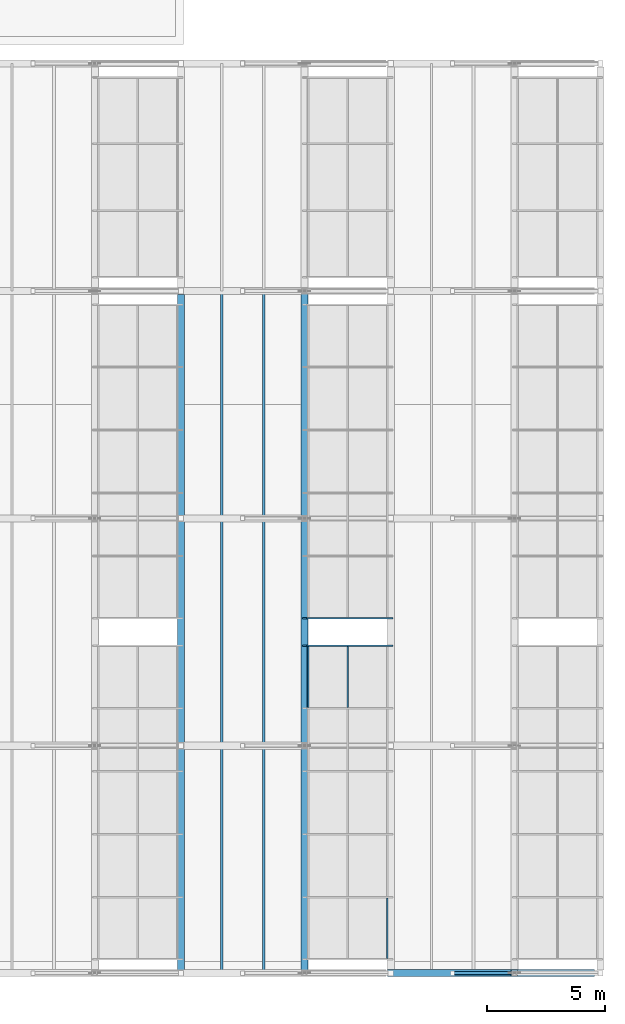
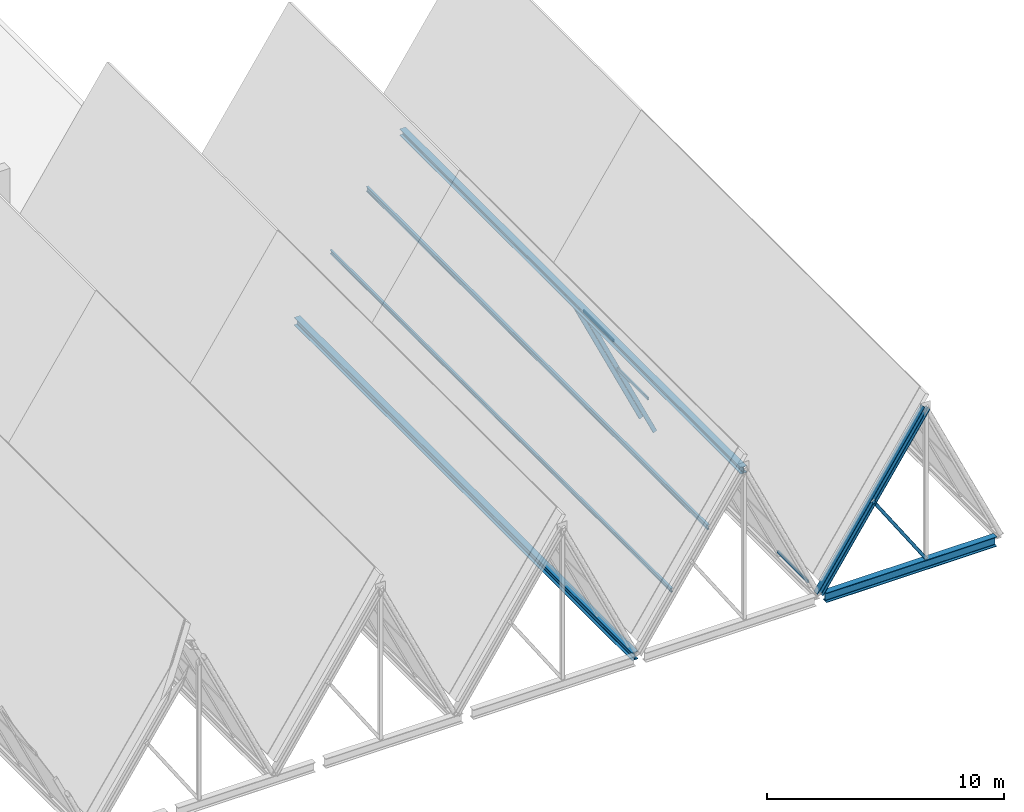
# One storey, part 53 of 99: 9 members, 3 beams, 2 elements without a shape of their own.
"""IFC4 building model written with IfcOpenShell, lengths in metres."""

from ifc_helpers import new_model, si_unit, direction, frame, origin, origin_2d, place, context, subcontext, project, spatial, hollow_rectangle, i_section, extrude, material, material_profile, profile_set, type_object, element, aggregate, save


model = new_model("IFC4")

# Units and contexts
model_context = context("Model", 3, precision=1e-05, world=origin(), true_north=direction((0.0, 1.0)))
body_context = subcontext(model_context, "Body", "Model", "MODEL_VIEW")
ifc_project = project(units=[si_unit("LENGTHUNIT", "METRE"), si_unit("AREAUNIT", "SQUARE_METRE"), si_unit("VOLUMEUNIT", "CUBIC_METRE"), si_unit("PLANEANGLEUNIT", "RADIAN"), si_unit("MASSUNIT", "GRAM", prefix="KILO")], contexts=[model_context])

# Site, building, storey
site_placement = place(None, origin())
site = spatial("IfcSite", under=ifc_project, at=site_placement, CompositionType="ELEMENT")
building_placement = place(site_placement, origin())
building = spatial("IfcBuilding", under=site, at=building_placement, Name="Bramveld Media Centre", CompositionType="ELEMENT")
storey_placement = place(building_placement, frame((0.0, 0.0, 13.800048828125)))
storey = spatial("IfcBuildingStorey", under=building, at=storey_placement, Name="L03", CompositionType="ELEMENT", Elevation=13.800048828125)

# Curtain wall, member
ifc_material_1 = material(Name="Thermally broken anodized bronze aluminium unitized curtain wall with solar-control triple glazing", Category="aluminium")
curtain_wall_type = type_object("IfcCurtainWallType", Name="CW-SAW-13300x8606", PredefinedType="NOTDEFINED", material=ifc_material_1)
curtain_wall_1_placement = place(storey_placement, origin())
curtain_wall_1 = element("IfcCurtainWall", 1, at=curtain_wall_1_placement, inside=storey, type_object=curtain_wall_type, Name="V1 sawtooth north-light clerestory B6-S1", PredefinedType="NOTDEFINED")
ifc_material_2 = material(Name="Thermally broken anodized bronze aluminium EN AW-6063 T6 curtain-wall framing", Category="aluminium")
ifc_material_profile_1 = material_profile(ifc_material_2, hollow_rectangle(XDim=0.070068359375, YDim=0.199951171875, WallThickness=0.00439453125, InnerFilletRadius=0.00439453125, OuterFilletRadius=0.009033203125, at=origin_2d()), Name="AL-MULL 70x200")
ifc_profile_set_1 = profile_set([ifc_material_profile_1], Name="Thermally broken anodized bronze aluminium EN AW-6063 T6 curtain-wall framing")
member_type_1 = type_object("IfcMemberType", Name="CW-MULL-SLP", PredefinedType="MULLION", material=ifc_profile_set_1)
member_1_placement = place(storey_placement, frame((177.142822265625, 13.81494140625, -0.02001953125), z_axis=(-0.423956992265, 0.0, 0.90568232218), x_axis=(0.0, -1.0, 0.0)))
member_1 = element("IfcMember", 2, at=member_1_placement, type_object=member_type_1, Name="CW-SA-13386 sloped mullion 6", PredefinedType="MULLION", context=body_context, shape_type="SweptSolid", body=[
    extrude(hollow_rectangle(XDim=0.070068359375, YDim=0.199951171875, WallThickness=0.00439453125, InnerFilletRadius=0.00439453125, OuterFilletRadius=0.009033203125, at=origin_2d()), origin(), (0.0, 0.0, 1.0), 8.5791015625),
])

curtain_wall_2_placement = place(storey_placement, origin())
curtain_wall_2 = element("IfcCurtainWall", 3, at=curtain_wall_2_placement, inside=storey, type_object=curtain_wall_type, Name="V1 sawtooth north-light clerestory B6-S2", PredefinedType="NOTDEFINED")
member_2_placement = place(storey_placement, frame((177.142822265625, 14.985107421875, -0.02001953125), z_axis=(-0.423956992265, 0.0, 0.90568232218), x_axis=(0.0, -1.0, 0.0)))
member_2 = element("IfcMember", 4, at=member_2_placement, type_object=member_type_1, Name="CW-SA-13386 sloped mullion 1", PredefinedType="MULLION", context=body_context, shape_type="SweptSolid", body=[
    extrude(hollow_rectangle(XDim=0.070068359375, YDim=0.199951171875, WallThickness=0.00439453125, InnerFilletRadius=0.00439453125, OuterFilletRadius=0.009033203125, at=origin_2d()), origin(), (0.0, 0.0, 1.0), 8.5791015625),
])
aggregate(curtain_wall_2, [member_2])

# Member
ifc_material_3 = material(Name="Thermally broken anodized bronze aluminium EN AW-6063 T6 curtain-wall framing", Category="aluminium")
ifc_material_profile_2 = material_profile(ifc_material_3, hollow_rectangle(XDim=0.070068359375, YDim=0.14990234375, WallThickness=0.00390625, InnerFilletRadius=0.00390625, OuterFilletRadius=0.008056640625, at=origin_2d()), Name="AL-TRAN 70x150")
ifc_profile_set_2 = profile_set([ifc_material_profile_2], Name="Thermally broken anodized bronze aluminium EN AW-6063 T6 curtain-wall framing")
member_type_2 = type_object("IfcMemberType", Name="CW-TRAN-SLP", PredefinedType="USERDEFINED", material=ifc_profile_set_2)
member_3_placement = place(storey_placement, frame((176.997314453125, 0.6201171875, 0.290771484375), z_axis=(0.0, 1.0, 0.0), x_axis=(-1.0, 0.0, 0.0)))
member_3 = element("IfcMember", 5, at=member_3_placement, type_object=member_type_2, Name="CW-SA-13386 transom 1.1", ObjectType="TRANSOM", PredefinedType="USERDEFINED", context=body_context, shape_type="SweptSolid", body=[
    extrude(hollow_rectangle(XDim=0.070068359375, YDim=0.14990234375, WallThickness=0.00390625, InnerFilletRadius=0.00390625, OuterFilletRadius=0.008056640625, at=origin_2d()), origin(), (0.0, 0.0, 1.0), 2.554931640625),
])

member_4_placement = place(storey_placement, frame((175.32421875, 11.22509765625, 3.864990234375), z_axis=(0.0, 1.0, 0.0), x_axis=(-1.0, 0.0, 0.0)))
member_4 = element("IfcMember", 6, at=member_4_placement, type_object=member_type_2, Name="CW-SA-13386 transom 5.2", ObjectType="TRANSOM", PredefinedType="USERDEFINED", context=body_context, shape_type="SweptSolid", body=[
    extrude(hollow_rectangle(XDim=0.070068359375, YDim=0.14990234375, WallThickness=0.00390625, InnerFilletRadius=0.00390625, OuterFilletRadius=0.008056640625, at=origin_2d()), origin(), (0.0, 0.0, 1.0), 2.554931640625),
])

member_5_placement = place(storey_placement, frame((173.651123046875, 11.22509765625, 7.439208984375), z_axis=(0.0, 1.0, 0.0), x_axis=(-1.0, 0.0, 0.0)))
member_5 = element("IfcMember", 7, at=member_5_placement, type_object=member_type_2, Name="CW-SA-13386 transom 5.3", ObjectType="TRANSOM", PredefinedType="USERDEFINED", context=body_context, shape_type="SweptSolid", body=[
    extrude(hollow_rectangle(XDim=0.070068359375, YDim=0.14990234375, WallThickness=0.00390625, InnerFilletRadius=0.00390625, OuterFilletRadius=0.008056640625, at=origin_2d()), origin(), (0.0, 0.0, 1.0), 2.554931640625),
])

aggregate(curtain_wall_1, [member_1, member_3, member_4, member_5])

# Members
ifc_material_4 = material(Name="Steel S355J2H", Category="steel")
ifc_material_profile_3 = material_profile(ifc_material_4, hollow_rectangle(XDim=0.14990234375, YDim=0.14990234375, WallThickness=0.010009765625, InnerFilletRadius=0.010009765625, OuterFilletRadius=0.02001953125, at=origin_2d()), Name="SHS 150x150x10")
ifc_profile_set_3 = profile_set([ifc_material_profile_3], Name="Steel S355J2H")
member_type_3 = type_object("IfcMemberType", Name="MEM-BRACE-SHS150", PredefinedType="BRACE", material=ifc_profile_set_3)
member_6_placement = place(storey_placement, frame((182.36279296875, 0.0, 0.0), z_axis=(-0.556200017124, 0.0, 0.831048458847), x_axis=(0.0, -1.0, 0.0)))
element("IfcMember", 8, at=member_6_placement, inside=storey, type_object=member_type_3, Name="TRUSS-V1-B07-F1 web diagonal", PredefinedType="BRACE", context=body_context, shape_type="SweptSolid", body=[
    extrude(hollow_rectangle(XDim=0.14990234375, YDim=0.14990234375, WallThickness=0.010009765625, InnerFilletRadius=0.010009765625, OuterFilletRadius=0.02001953125, at=origin_2d()), origin(), (0.0, 0.0, 1.0), 4.69287109375),
])
ifc_material_5 = material(Name="Steel S355J2", Category="steel")
ifc_material_profile_4 = material_profile(ifc_material_5, i_section(OverallWidth=0.300048828125, OverallDepth=0.340087890625, WebThickness=0.011962890625, FlangeThickness=0.021484375, FilletRadius=0.027099609375, at=origin_2d()), Name="HEB 340")
ifc_profile_set_4 = profile_set([ifc_material_profile_4], Name="Steel S355J2")
member_type_4 = type_object("IfcMemberType", Name="MEM-CHORD-HEB340", PredefinedType="CHORD", material=ifc_profile_set_4)
member_7_placement = place(storey_placement, frame((177.142822265625, 0.0, 0.0), z_axis=(0.556170027887, 0.0, 0.831068529112), x_axis=(0.0, 1.0, 0.0)))
element("IfcMember", 9, at=member_7_placement, inside=storey, type_object=member_type_4, Name="TRUSS-V1-B07-F1 top rafter chord", PredefinedType="CHORD", context=body_context, shape_type="SweptSolid", body=[
    extrude(i_section(OverallWidth=0.300048828125, OverallDepth=0.340087890625, WebThickness=0.011962890625, FlangeThickness=0.021484375, FilletRadius=0.027099609375, at=origin_2d()), origin(), (0.0, 0.0, 1.0), 9.385498046875),
])
ifc_material_6 = material(Name="Steel S355J2", Category="steel")
ifc_material_profile_5 = material_profile(ifc_material_6, i_section(OverallWidth=0.10009765625, OverallDepth=0.199951171875, WebThickness=0.005615234375, FlangeThickness=0.008544921875, FilletRadius=0.011962890625, at=origin_2d()), Name="IPE 200")
ifc_profile_set_5 = profile_set([ifc_material_profile_5], Name="Steel S355J2")
member_type_5 = type_object("IfcMemberType", Name="MEM-PURLIN-IPE200", PredefinedType="PURLIN", material=ifc_profile_set_5)
member_8_placement = place(storey_placement, frame((170.00830078125, 0.0, 2.666259765625), z_axis=(0.0, 1.0, 0.0), x_axis=(-1.0, 0.0, 0.0)))
element("IfcMember", 10, at=member_8_placement, inside=storey, type_object=member_type_5, Name="V1 roof purlin", PredefinedType="PURLIN", context=body_context, shape_type="SweptSolid", body=[
    extrude(i_section(OverallWidth=0.10009765625, OverallDepth=0.199951171875, WebThickness=0.005615234375, FlangeThickness=0.008544921875, FilletRadius=0.011962890625, at=origin_2d()), origin(), (0.0, 0.0, 1.0), 28.800048828125),
])
ifc_material_7 = material(Name="Steel S355J2", Category="steel")
ifc_material_profile_6 = material_profile(ifc_material_7, i_section(OverallWidth=0.1201171875, OverallDepth=0.239990234375, WebThickness=0.006103515625, FlangeThickness=0.009765625, FilletRadius=0.014892578125, at=origin_2d()), Name="IPE 240")
ifc_profile_set_6 = profile_set([ifc_material_profile_6], Name="Steel S355J2")
member_type_6 = type_object("IfcMemberType", Name="MEM-PURLIN-IPE240", PredefinedType="PURLIN", material=ifc_profile_set_6)
member_9_placement = place(storey_placement, frame((171.782958984375, 0.0, 5.283447265625), z_axis=(0.0, 1.0, 0.0), x_axis=(-1.0, 0.0, 0.0)))
element("IfcMember", 11, at=member_9_placement, inside=storey, type_object=member_type_6, Name="V1 roof purlin", PredefinedType="PURLIN", context=body_context, shape_type="SweptSolid", body=[
    extrude(i_section(OverallWidth=0.1201171875, OverallDepth=0.239990234375, WebThickness=0.006103515625, FlangeThickness=0.009765625, FilletRadius=0.014892578125, at=origin_2d()), origin(), (0.0, 0.0, 1.0), 28.800048828125),
])

# Beams
ifc_material_8 = material(Name="Steel S355J2", Category="steel")
ifc_material_profile_7 = material_profile(ifc_material_8, i_section(OverallWidth=0.300048828125, OverallDepth=0.5, WebThickness=0.014404296875, FlangeThickness=0.028076171875, FilletRadius=0.027099609375, at=origin_2d()), Name="HEB 500")
ifc_profile_set_7 = profile_set([ifc_material_profile_7], Name="Steel S355J2")
beam_type_1 = type_object("IfcBeamType", Name="SBM-EXT-HEB-500", PredefinedType="BEAM", material=ifc_profile_set_7)
beam_1_placement = place(storey_placement, frame((177.449951171875, 0.0, -0.25), z_axis=(1.0, 0.0, 0.0), x_axis=(0.0, 1.0, 0.0)))
element("IfcBeam", 12, at=beam_1_placement, inside=storey, type_object=beam_type_1, Name="V1 sawtooth tie girder", PredefinedType="BEAM", context=body_context, shape_type="SweptSolid", body=[
    extrude(i_section(OverallWidth=0.300048828125, OverallDepth=0.5, WebThickness=0.014404296875, FlangeThickness=0.028076171875, FilletRadius=0.027099609375, at=origin_2d()), origin(), (0.0, 0.0, 1.0), 8.300048828125),
])
ifc_material_9 = material(Name="Steel S355J2", Category="steel")
ifc_material_profile_8 = material_profile(ifc_material_9, i_section(OverallWidth=0.300048828125, OverallDepth=0.330078125, WebThickness=0.009521484375, FlangeThickness=0.0166015625, FilletRadius=0.027099609375, at=origin_2d()), Name="HEA 340")
ifc_profile_set_8 = profile_set([ifc_material_profile_8], Name="Steel S355J2")
beam_type_2 = type_object("IfcBeamType", Name="SBM-INT-HEA-340", PredefinedType="BEAM", material=ifc_profile_set_8)
beam_2_placement = place(storey_placement, frame((173.505615234375, 0.0, 7.635009765625), z_axis=(0.0, 1.0, 0.0), x_axis=(-1.0, 0.0, 0.0)))
element("IfcBeam", 13, at=beam_2_placement, inside=storey, type_object=beam_type_2, Name="V1 ridge spine beam", PredefinedType="BEAM", context=body_context, shape_type="SweptSolid", body=[
    extrude(i_section(OverallWidth=0.300048828125, OverallDepth=0.330078125, WebThickness=0.009521484375, FlangeThickness=0.0166015625, FilletRadius=0.027099609375, at=origin_2d()), origin(), (0.0, 0.0, 1.0), 28.800048828125),
])
ifc_material_10 = material(Name="Steel S355J2", Category="steel")
ifc_material_profile_9 = material_profile(ifc_material_10, i_section(OverallWidth=0.300048828125, OverallDepth=0.39990234375, WebThickness=0.013427734375, FlangeThickness=0.02392578125, FilletRadius=0.027099609375, at=origin_2d()), Name="HEB 400")
ifc_profile_set_9 = profile_set([ifc_material_profile_9], Name="Steel S355J2")
beam_type_3 = type_object("IfcBeamType", Name="SBM-INT-HEB-400", PredefinedType="BEAM", material=ifc_profile_set_9)
beam_3_placement = place(storey_placement, frame((168.28564453125, 0.139892578125, -0.199951171875), z_axis=(0.0, 1.0, 0.0), x_axis=(-1.0, 0.0, 0.0)))
element("IfcBeam", 14, at=beam_3_placement, inside=storey, type_object=beam_type_3, Name="V1 valley spine girder 5", PredefinedType="BEAM", context=body_context, shape_type="SweptSolid", body=[
    extrude(i_section(OverallWidth=0.300048828125, OverallDepth=0.39990234375, WebThickness=0.013427734375, FlangeThickness=0.02392578125, FilletRadius=0.027099609375, at=origin_2d()), origin(), (0.0, 0.0, 1.0), 28.52001953125),
])

save(model, "model.ifc")
